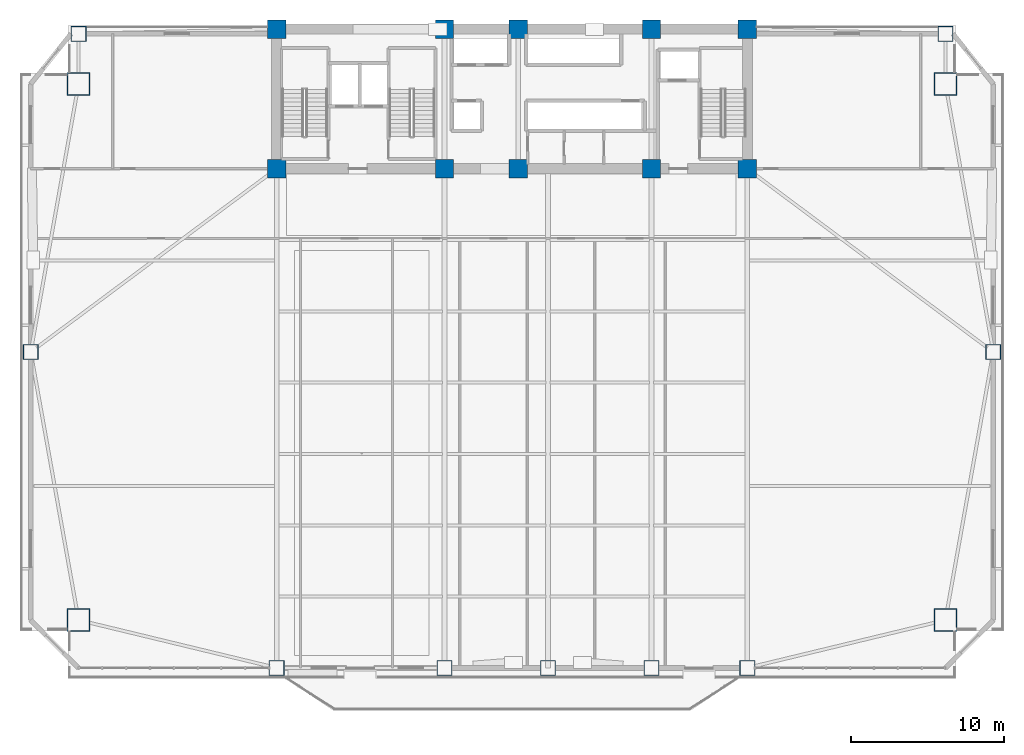
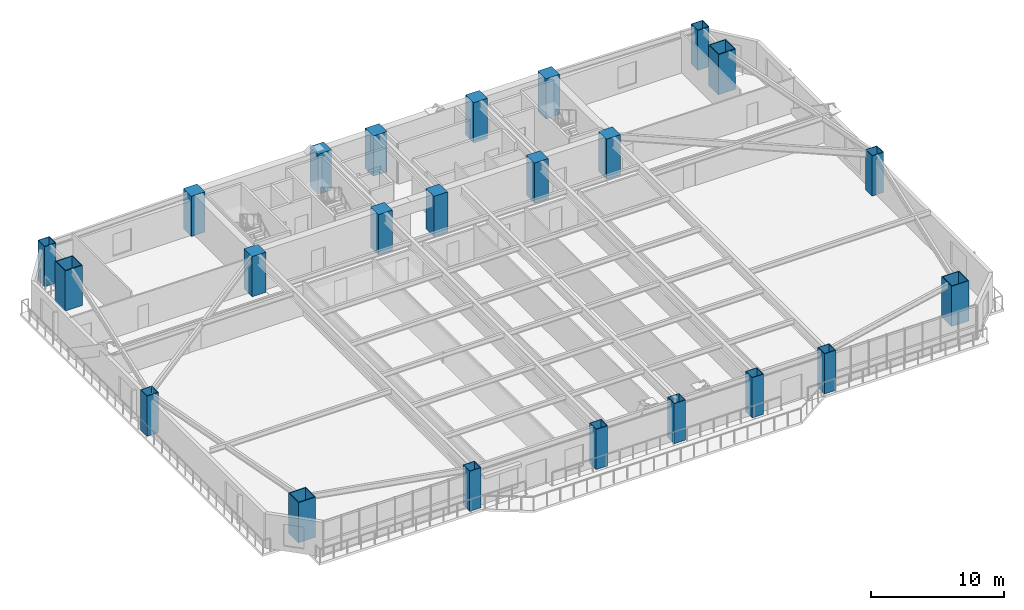
# One storey, part 1 of 18: 23 columns.
"""IFC4 building model written with IfcOpenShell, lengths in metres."""

from ifc_helpers import new_model, si_unit, direction, frame, origin, origin_2d, place, context, subcontext, project, spatial, rectangle, hollow_rectangle, extrude, source, transform, mapped, material, material_profile, profile_set, type_object, element, save


model = new_model("IFC4")

# Units and contexts
model_context = context("Model", 3, precision=1e-05, world=origin(), true_north=direction((0.0, 1.0)))
body_context = subcontext(model_context, "Body", "Model", "MODEL_VIEW")
ifc_project = project(units=[si_unit("LENGTHUNIT", "METRE"), si_unit("AREAUNIT", "SQUARE_METRE"), si_unit("VOLUMEUNIT", "CUBIC_METRE"), si_unit("PLANEANGLEUNIT", "RADIAN"), si_unit("MASSUNIT", "GRAM", prefix="KILO")], contexts=[model_context])

# Site, building, storey
site_placement = place(None, origin())
site = spatial("IfcSite", under=ifc_project, at=site_placement, CompositionType="ELEMENT")
building_placement = place(site_placement, origin())
building = spatial("IfcBuilding", under=site, at=building_placement, Name="Giltprow Tower", CompositionType="ELEMENT")
storey_placement = place(building_placement, frame((0.0, 0.0, 65.0)))
storey = spatial("IfcBuildingStorey", under=building, at=storey_placement, Name="L16", CompositionType="ELEMENT", Elevation=65.0)

# Columns
ifc_material_1 = material(Name="Concrete C60", Category="concrete")
ifc_material_profile_1 = material_profile(ifc_material_1, rectangle(XDim=1.199951171875, YDim=1.199951171875, at=origin_2d()), Name="RC 1200x1200")
ifc_profile_set_1 = profile_set([ifc_material_profile_1], Name="Concrete C60")
column_type_1 = type_object("IfcColumnType", Name="PIL-RC-1200-C60", PredefinedType="PILASTER", material=ifc_profile_set_1)
shared_shape_1 = source(origin(), body_context, "Body", "SweptSolid", [
    extrude(rectangle(XDim=1.199951171875, YDim=1.199951171875, at=origin_2d()), origin(), (0.0, 0.0, 1.0), 3.679931640625),
])
for number, where, z_axis, x_axis, name in (
    (1, (19.85009765625, 37.449951171875, 0.0), (0.0, 0.0, 1.0), (1.0, 0.0, 0.0), "L16 Core Boundary Pilaster 1-1"),
    (2, (19.85009765625, 46.550048828125, 0.0), (0.0, 0.0, 1.0), (1.0, 0.0, 0.0), "L16 Core Boundary Pilaster 1-2"),
    (3, (30.800048828125, 37.449951171875, 0.0), (0.0, 0.0, 1.0), (1.0, 0.0, 0.0), "L16 Core Boundary Pilaster 2-1"),
    (4, (30.800048828125, 46.550048828125, 0.0), (0.0, 0.0, 1.0), (1.0, 0.0, 0.0), "L16 Core Boundary Pilaster 2-2"),
    (5, (35.60009765625, 37.449951171875, 0.0), (0.0, 0.0, 1.0), (1.0, 0.0, 0.0), "L16 Core Boundary Pilaster 3-1"),
    (6, (35.60009765625, 46.550048828125, 0.0), (0.0, 0.0, 1.0), (1.0, 0.0, 0.0), "L16 Core Boundary Pilaster 3-2"),
    (7, (44.300048828125, 37.449951171875, 0.0), (0.0, 0.0, 1.0), (1.0, 0.0, 0.0), "L16 Core Boundary Pilaster 4-1"),
    (8, (44.300048828125, 46.550048828125, 0.0), (0.0, 0.0, 1.0), (1.0, 0.0, 0.0), "L16 Core Boundary Pilaster 4-2"),
    (9, (50.550048828125, 37.449951171875, 0.0), (0.0, 0.0, 1.0), (1.0, 0.0, 0.0), "L16 Core Boundary Pilaster 5-1"),
    (10, (50.550048828125, 46.550048828125, 0.0), (0.0, 0.0, 1.0), (1.0, 0.0, 0.0), "L16 Core Boundary Pilaster 5-2"),
):
    element("IfcColumn", number, at=place(storey_placement, frame(where, z_axis=z_axis, x_axis=x_axis)), inside=storey, type_object=column_type_1, Name=name, PredefinedType="PILASTER", context=body_context, shape_type="MappedRepresentation", body=[
        mapped(shared_shape_1, transform((0.0, 0.0, 0.0), x_axis=(1.0, 0.0, 0.0), y_axis=(0.0, 1.0, 0.0), z_axis=(0.0, 0.0, 1.0), scale=1.0)),
    ])
ifc_material_2 = material(Name="Structural steel Q420GJC", Category="steel")
ifc_material_profile_2 = material_profile(ifc_material_2, hollow_rectangle(XDim=1.5, YDim=1.5, WallThickness=0.070068359375, at=origin_2d()), Name="BOX 1500x1500x70")
ifc_profile_set_2 = profile_set([ifc_material_profile_2], Name="Structural steel Q420GJC")
column_type_2 = type_object("IfcColumnType", Name="COL-BOX-1500x1500x70", PredefinedType="COLUMN", material=ifc_profile_set_2)
shared_shape_2 = source(origin(), body_context, "Body", "SweptSolid", [
    extrude(hollow_rectangle(XDim=1.5, YDim=1.5, WallThickness=0.070068359375, at=origin_2d()), origin(), (0.0, 0.0, 1.0), 3.679931640625),
])
for number, where, z_axis, x_axis, name in (
    (11, (6.927001953125, 8.00390625, 0.0), (0.0, 0.0, 1.0), (1.0, 0.0, 0.0), "L16 Mega-Column MC_SW"),
    (12, (63.47412109375, 8.00390625, 0.0), (0.0, 0.0, 1.0), (1.0, 0.0, 0.0), "L16 Mega-Column MC_SE"),
    (13, (6.927001953125, 42.97802734375, 0.0), (0.0, 0.0, 1.0), (1.0, 0.0, 0.0), "L16 Mega-Column MC_NW"),
    (14, (63.47412109375, 42.97802734375, 0.0), (0.0, 0.0, 1.0), (1.0, 0.0, 0.0), "L16 Mega-Column MC_NE"),
):
    element("IfcColumn", number, at=place(storey_placement, frame(where, z_axis=z_axis, x_axis=x_axis)), inside=storey, type_object=column_type_2, Name=name, PredefinedType="COLUMN", context=body_context, shape_type="MappedRepresentation", body=[
        mapped(shared_shape_2, transform((0.0, 0.0, 0.0), x_axis=(1.0, 0.0, 0.0), y_axis=(0.0, 1.0, 0.0), z_axis=(0.0, 0.0, 1.0), scale=1.0)),
    ])
ifc_material_profile_3 = material_profile(ifc_material_2, hollow_rectangle(XDim=1.0, YDim=1.0, WallThickness=0.044921875, at=origin_2d()), Name="BOX 1000x1000x45")
ifc_profile_set_3 = profile_set([ifc_material_profile_3], Name="Structural steel Q420GJC")
column_type_3 = type_object("IfcColumnType", Name="COL-BOX-1000x1000x45", PredefinedType="COLUMN", material=ifc_profile_set_3)
shared_shape_3 = source(origin(), body_context, "Body", "SweptSolid", [
    extrude(hollow_rectangle(XDim=1.0, YDim=1.0, WallThickness=0.044921875, at=origin_2d()), origin(), (0.0, 0.0, 1.0), 3.679931640625),
])
for number, where, z_axis, x_axis, name in (
    (15, (19.85009765625, 4.882080078125, 0.0), (0.0, 0.0, 1.0), (1.0, 0.0, 0.0), "L16 Perimeter Column S1"),
    (16, (30.800048828125, 4.882080078125, 0.0), (0.0, 0.0, 1.0), (1.0, 0.0, 0.0), "L16 Perimeter Column S2"),
    (17, (37.550048828125, 4.882080078125, 0.0), (0.0, 0.0, 1.0), (1.0, 0.0, 0.0), "L16 Perimeter Column S_MID"),
    (18, (44.300048828125, 4.882080078125, 0.0), (0.0, 0.0, 1.0), (1.0, 0.0, 0.0), "L16 Perimeter Column S3"),
    (19, (50.550048828125, 4.882080078125, 0.0), (0.0, 0.0, 1.0), (1.0, 0.0, 0.0), "L16 Perimeter Column S4"),
    (20, (3.804931640625, 25.490966796875, 0.0), (0.0, 0.0, 1.0), (1.0, 0.0, 0.0), "L16 Perimeter Column W_MID"),
    (21, (66.595947265625, 25.490966796875, 0.0), (0.0, 0.0, 1.0), (1.0, 0.0, 0.0), "L16 Perimeter Column E_MID"),
    (22, (6.927001953125, 46.25, 0.0), (0.0, 0.0, 1.0), (1.0, 0.0, 0.0), "L16 Perimeter Column N_W"),
    (23, (63.47412109375, 46.25, 0.0), (0.0, 0.0, 1.0), (1.0, 0.0, 0.0), "L16 Perimeter Column N_E"),
):
    element("IfcColumn", number, at=place(storey_placement, frame(where, z_axis=z_axis, x_axis=x_axis)), inside=storey, type_object=column_type_3, Name=name, PredefinedType="COLUMN", context=body_context, shape_type="MappedRepresentation", body=[
        mapped(shared_shape_3, transform((0.0, 0.0, 0.0), x_axis=(1.0, 0.0, 0.0), y_axis=(0.0, 1.0, 0.0), z_axis=(0.0, 0.0, 1.0), scale=1.0)),
    ])

save(model, "model.ifc")
